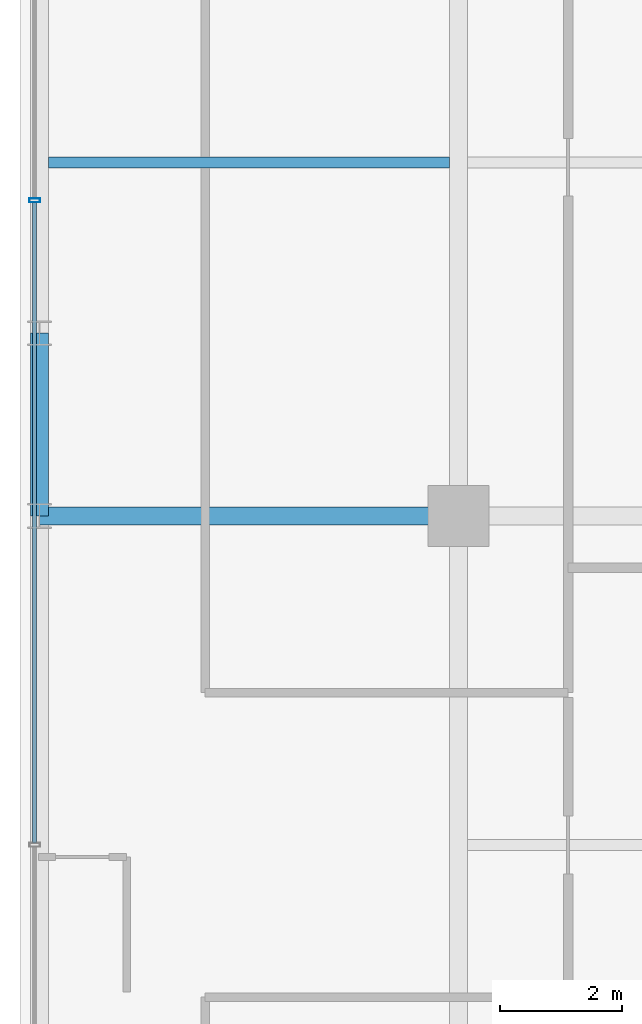
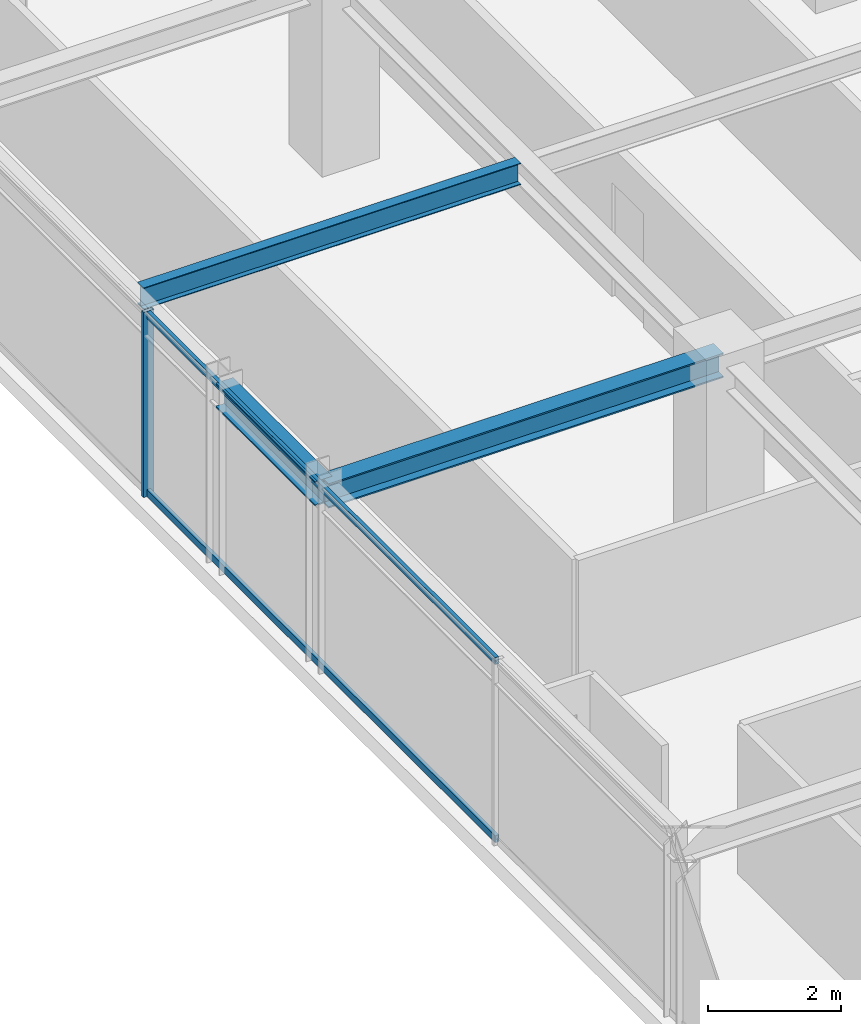
# One storey, part 18 of 34: 3 beams, 3 members, 1 element without a shape of its own.
"""IFC4 building model written with IfcOpenShell, lengths in metres."""

from ifc_helpers import new_model, si_unit, direction, frame, origin, origin_2d, place, context, subcontext, project, spatial, hollow_rectangle, i_section, extrude, source, transform, mapped, material, material_profile, profile_set, type_object, element, aggregate, save


model = new_model("IFC4")

# Units and contexts
model_context = context("Model", 3, precision=1e-05, world=origin(), true_north=direction((0.0, 1.0)))
body_context = subcontext(model_context, "Body", "Model", "MODEL_VIEW")
ifc_project = project(units=[si_unit("LENGTHUNIT", "METRE"), si_unit("AREAUNIT", "SQUARE_METRE"), si_unit("VOLUMEUNIT", "CUBIC_METRE"), si_unit("PLANEANGLEUNIT", "RADIAN"), si_unit("MASSUNIT", "GRAM", prefix="KILO")], contexts=[model_context])

# Site, building, storey
site_placement = place(None, origin())
site = spatial("IfcSite", under=ifc_project, at=site_placement, CompositionType="ELEMENT")
building_placement = place(site_placement, origin())
building = spatial("IfcBuilding", under=site, at=building_placement, Name="Nahalor Promenade Grand Hotel", CompositionType="ELEMENT")
storey_placement = place(building_placement, frame((0.0, 0.0, 208.60009765625)))
storey = spatial("IfcBuildingStorey", under=building, at=storey_placement, Name="L53", CompositionType="ELEMENT", Elevation=208.60009765625)

# Beams
ifc_material_1 = material(Name="Steel S355JR", Category="steel")
ifc_material_profile_1 = material_profile(ifc_material_1, i_section(OverallWidth=0.3, OverallDepth=0.45, WebThickness=0.014, FlangeThickness=0.026, at=origin_2d()), Name="HEB 450")
ifc_profile_set_1 = profile_set([ifc_material_profile_1], Name="Steel S355JR")
beam_type_1 = type_object("IfcBeamType", Name="Beam-Spandrel-HEB450", PredefinedType="SPANDREL", material=ifc_profile_set_1)
shared_shape_1 = source(origin(), body_context, "Body", "SweptSolid", [
    extrude(i_section(OverallWidth=0.3, OverallDepth=0.45, WebThickness=0.014, FlangeThickness=0.026, at=origin_2d()), origin(), (0.0, 0.0, 1.0), 3.0),
])
beam_1_placement = place(storey_placement, frame((-23.8798828125, 5.39990234375, 3.184814453125), z_axis=(0.0, 1.0, 0.0), x_axis=(-1.0, 0.0, 0.0)))
element("IfcBeam", 1, at=beam_1_placement, inside=storey, type_object=beam_type_1, Name="BM-L53-SP-W-3", PredefinedType="SPANDREL", context=body_context, shape_type="MappedRepresentation", body=[
    mapped(shared_shape_1, transform((0.0, 0.0, 0.0), scale=1.0)),
])
ifc_material_profile_2 = material_profile(ifc_material_1, i_section(OverallWidth=0.3, OverallDepth=0.45, WebThickness=0.014, FlangeThickness=0.026, at=origin_2d()), Name="HEB 450")
ifc_profile_set_2 = profile_set([ifc_material_profile_2], Name="Steel S355JR")
beam_type_2 = type_object("IfcBeamType", Name="Beam-Girder-HEB450", PredefinedType="BEAM", material=ifc_profile_set_2)
shared_shape_2 = source(origin(), body_context, "Body", "SweptSolid", [
    extrude(i_section(OverallWidth=0.3, OverallDepth=0.45, WebThickness=0.014, FlangeThickness=0.026, at=origin_2d()), origin(), (0.0, 0.0, 1.0), 6.8798828125),
])
beam_2_placement = place(storey_placement, frame((-23.8798828125, 5.39990234375, 3.184814453125), z_axis=(1.0, 0.0, 0.0), x_axis=(0.0, 1.0, 0.0)))
element("IfcBeam", 2, at=beam_2_placement, inside=storey, type_object=beam_type_2, Name="BM-L53-GX-2-0", PredefinedType="BEAM", context=body_context, shape_type="MappedRepresentation", body=[
    mapped(shared_shape_2, transform((0.0, 0.0, 0.0), scale=1.0)),
])
ifc_material_profile_3 = material_profile(ifc_material_1, i_section(OverallWidth=0.18, OverallDepth=0.4, WebThickness=0.0086, FlangeThickness=0.0135, at=origin_2d()), Name="IPE 400")
ifc_profile_set_3 = profile_set([ifc_material_profile_3], Name="Steel S355JR")
beam_type_3 = type_object("IfcBeamType", Name="Beam-Joist-IPE400", PredefinedType="JOIST", material=ifc_profile_set_3)
shared_shape_3 = source(origin(), body_context, "Body", "SweptSolid", [
    extrude(i_section(OverallWidth=0.18, OverallDepth=0.4, WebThickness=0.0086, FlangeThickness=0.0135, at=origin_2d()), origin(), (0.0, 0.0, 1.0), 6.580078125),
])
beam_3_placement = place(storey_placement, frame((-23.72998046875, 11.199951171875, 3.2099609375), z_axis=(1.0, 0.0, 0.0), x_axis=(0.0, 1.0, 0.0)))
element("IfcBeam", 3, at=beam_3_placement, inside=storey, type_object=beam_type_3, Name="BM-L53-JSW-1-0", PredefinedType="JOIST", context=body_context, shape_type="MappedRepresentation", body=[
    mapped(shared_shape_3, transform((0.0, 0.0, 0.0), scale=1.0)),
])

# Curtain wall, members
ifc_material_2 = material(Name="Anodised Bronze Aluminium EN AW-6063 T6", Category="aluminium")
curtain_wall_type = type_object("IfcCurtainWallType", Name="CW2 Typical Hotel Flush Bronze Unitised Curtain Wall", PredefinedType="USERDEFINED", material=ifc_material_2)
curtain_wall_placement = place(storey_placement, origin())
curtain_wall = element("IfcCurtainWall", 4, at=curtain_wall_placement, inside=storey, type_object=curtain_wall_type, Name="L53 Curtain Wall CW-L53-W-1", ObjectType="UNITISED_CURTAIN_WALL", PredefinedType="USERDEFINED")
ifc_material_profile_4 = material_profile(ifc_material_2, hollow_rectangle(XDim=0.065, YDim=0.13, WallThickness=0.004, at=origin_2d()), Name="CWT 65x130x4")
ifc_profile_set_4 = profile_set([ifc_material_profile_4], Name="Anodised Bronze Aluminium EN AW-6063 T6")
member_type_1 = type_object("IfcMemberType", Name="CWT2 Typical Bronze Transom 65x130", PredefinedType="USERDEFINED", material=ifc_profile_set_4)
shared_shape_4 = source(origin(), body_context, "Body", "SweptSolid", [
    extrude(hollow_rectangle(XDim=0.065, YDim=0.13, WallThickness=0.004, at=origin_2d()), origin(), (0.0, 0.0, 1.0), 10.51513671875),
])
member_1_placement = place(storey_placement, frame((-23.9599609375, 0.032470703125, 0.06494140625), z_axis=(0.0, 1.0, 0.0), x_axis=(-1.0, 0.0, 0.0)))
member_1 = element("IfcMember", 5, at=member_1_placement, type_object=member_type_1, Name="CW-L53-W-1 Transom 2-0", ObjectType="TRANSOM", PredefinedType="USERDEFINED", context=body_context, shape_type="MappedRepresentation", body=[
    mapped(shared_shape_4, transform((0.0, 0.0, 0.0), scale=1.0)),
])
member_2_placement = place(storey_placement, frame((-23.9599609375, 0.032470703125, 3.344970703125), z_axis=(0.0, 1.0, 0.0), x_axis=(-1.0, 0.0, 0.0)))
member_2 = element("IfcMember", 6, at=member_2_placement, type_object=member_type_1, Name="CW-L53-W-1 Transom 2-1", ObjectType="TRANSOM", PredefinedType="USERDEFINED", context=body_context, shape_type="MappedRepresentation", body=[
    mapped(shared_shape_4, transform((0.0, 0.0, 0.0), scale=1.0)),
])
ifc_material_profile_5 = material_profile(ifc_material_2, hollow_rectangle(XDim=0.065, YDim=0.18, WallThickness=0.004, at=origin_2d()), Name="CWM 65x180x4")
ifc_profile_set_5 = profile_set([ifc_material_profile_5], Name="Anodised Bronze Aluminium EN AW-6063 T6")
member_type_2 = type_object("IfcMemberType", Name="CWM2 Typical Bronze Mullion 65x180", PredefinedType="MULLION", material=ifc_profile_set_5)
shared_shape_5 = source(origin(), body_context, "Body", "SweptSolid", [
    extrude(hollow_rectangle(XDim=0.065, YDim=0.18, WallThickness=0.004, at=origin_2d()), origin(), (0.0, 0.0, 1.0), 3.409912109375),
])
member_3_placement = place(storey_placement, frame((-23.9599609375, 10.580078125, 0.0), z_axis=(0.0, 0.0, 1.0), x_axis=(0.0, 1.0, 0.0)))
member_3 = element("IfcMember", 7, at=member_3_placement, type_object=member_type_2, Name="CW-L53-W-1 Mullion 3", PredefinedType="MULLION", context=body_context, shape_type="MappedRepresentation", body=[
    mapped(shared_shape_5, transform((0.0, 0.0, 0.0), scale=1.0)),
])
aggregate(curtain_wall, [member_3, member_1, member_2])

save(model, "model.ifc")
